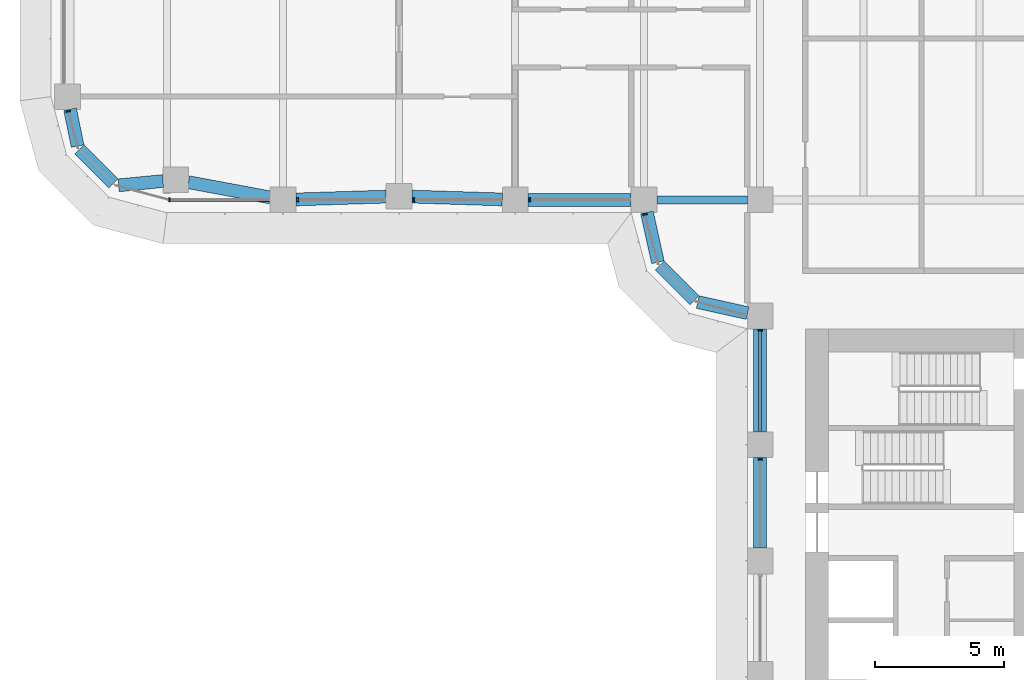
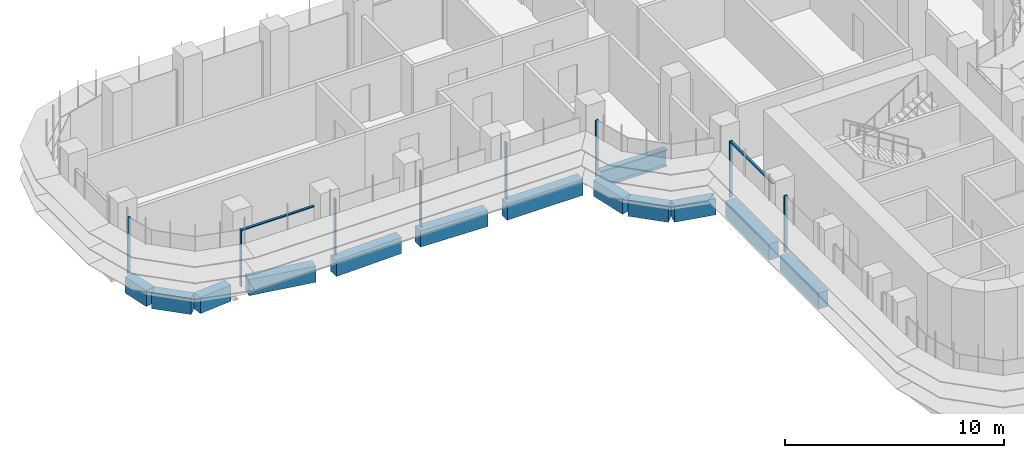
# One storey, part 3 of 23: 13 beams, 10 members, 4 elements without a shape of their own.
"""IFC4 building model written with IfcOpenShell, lengths in metres."""

from ifc_helpers import new_model, si_unit, direction, frame, origin, origin_2d, place, context, subcontext, project, spatial, polyline, rectangle, i_section, outline, extrude, source, transform, mapped, material, material_profile, profile_set, type_object, element, aggregate, save


model = new_model("IFC4")

# Units and contexts
model_context = context("Model", 3, precision=1e-05, world=origin(), true_north=direction((0.0, 1.0)))
body_context = subcontext(model_context, "Body", "Model", "MODEL_VIEW")
ifc_project = project(units=[si_unit("LENGTHUNIT", "METRE"), si_unit("AREAUNIT", "SQUARE_METRE"), si_unit("VOLUMEUNIT", "CUBIC_METRE"), si_unit("PLANEANGLEUNIT", "RADIAN"), si_unit("MASSUNIT", "GRAM", prefix="KILO")], contexts=[model_context])

# Site, building, storey
site_placement = place(None, origin())
site = spatial("IfcSite", under=ifc_project, at=site_placement, CompositionType="ELEMENT")
building_placement = place(site_placement, origin())
building = spatial("IfcBuilding", under=site, at=building_placement, Name="Zarbagh Exchange Tower", CompositionType="ELEMENT")
storey_placement = place(building_placement, frame((0.0, 0.0, 60.60009765625)))
storey = spatial("IfcBuildingStorey", under=building, at=storey_placement, Name="L13", CompositionType="ELEMENT", Elevation=60.60009765625)

# Beams
ifc_material_1 = material(Name="Steel ASTM A992 Gr 50", Category="steel")
ifc_material_profile_1 = material_profile(ifc_material_1, i_section(OverallWidth=0.3046875, OverallDepth=0.91943359375, WebThickness=0.017333984375, FlangeThickness=0.02783203125, at=origin_2d()), Name="W36X170")
ifc_profile_set_1 = profile_set([ifc_material_profile_1], Name="Steel ASTM A992 Gr 50")
beam_type_1 = type_object("IfcBeamType", Name="Floor girder W36X170", PredefinedType="BEAM", material=ifc_profile_set_1)
beam_1_placement = place(storey_placement, frame((-10.25, -6.25, -0.60986328125), z_axis=(1.0, 0.0, 0.0), x_axis=(0.0, 1.0, 0.0)))
element("IfcBeam", 1, at=beam_1_placement, inside=storey, type_object=beam_type_1, Name="Steel girder", PredefinedType="BEAM", context=body_context, shape_type="SweptSolid", body=[
    extrude(i_section(OverallWidth=0.3046875, OverallDepth=0.91943359375, WebThickness=0.017333984375, FlangeThickness=0.02783203125, at=origin_2d()), origin(), (0.0, 0.0, 1.0), 3.5),
])
ifc_material_2 = material(Name="Concrete C60/75", Category="concrete")
ifc_material_profile_2 = material_profile(ifc_material_2, rectangle(XDim=0.5, YDim=0.89990234375, at=origin_2d()), Name="RC spandrel beam 500 x 900 C60/75")
ifc_profile_set_2 = profile_set([ifc_material_profile_2], Name="Concrete C60/75")
beam_type_2 = type_object("IfcBeamType", Name="RC spandrel beam 500 x 900 C60/75", PredefinedType="SPANDREL", material=ifc_profile_set_2)
beam_2_placement = place(storey_placement, frame((-6.25, -19.75, -0.60009765625), z_axis=(0.0, 1.0, 0.0), x_axis=(-1.0, 0.0, 0.0)))
element("IfcBeam", 2, at=beam_2_placement, inside=storey, type_object=beam_type_2, Name="RC spandrel beam", PredefinedType="SPANDREL", context=body_context, shape_type="SweptSolid", body=[
    extrude(rectangle(XDim=0.5, YDim=0.89990234375, at=origin_2d()), origin(), (0.0, 0.0, 1.0), 3.5),
])
beam_3_placement = place(storey_placement, frame((-6.25, -15.25, -0.60009765625), z_axis=(0.0, 1.0, 0.0), x_axis=(-1.0, 0.0, 0.0)))
element("IfcBeam", 3, at=beam_3_placement, inside=storey, type_object=beam_type_2, Name="RC spandrel beam", PredefinedType="SPANDREL", context=body_context, shape_type="SweptSolid", body=[
    extrude(rectangle(XDim=0.5, YDim=0.89990234375, at=origin_2d()), origin(), (0.0, 0.0, 1.0), 4.0),
])
beam_4_placement = place(storey_placement, frame((-6.73828125, -10.64208984375, -0.60009765625), z_axis=(-0.976375426825, 0.216081063242, 0.0), x_axis=(-0.216081063242, -0.976375426825, 0.0)))
element("IfcBeam", 4, at=beam_4_placement, inside=storey, type_object=beam_type_2, Name="RC spandrel beam", PredefinedType="SPANDREL", context=body_context, shape_type="SweptSolid", body=[
    extrude(rectangle(XDim=0.5, YDim=0.89990234375, at=origin_2d()), origin(), (0.0, 0.0, 1.0), 1.978271484375),
])
beam_5_placement = place(storey_placement, frame((-8.792724609375, -10.147216796875, -0.60009765625), z_axis=(-0.707106781187, 0.707106781187, 0.0), x_axis=(-0.707106781187, -0.707106781187, 0.0)))
element("IfcBeam", 5, at=beam_5_placement, inside=storey, type_object=beam_type_2, Name="RC spandrel beam", PredefinedType="SPANDREL", context=body_context, shape_type="SweptSolid", body=[
    extrude(rectangle(XDim=0.5, YDim=0.89990234375, at=origin_2d()), origin(), (0.0, 0.0, 1.0), 1.91552734375),
])
beam_6_placement = place(storey_placement, frame((-10.214599609375, -8.669921875, -0.60009765625), z_axis=(-0.216081063242, 0.976375426825, 0.0), x_axis=(-0.976375426825, -0.216081063242, 0.0)))
element("IfcBeam", 6, at=beam_6_placement, inside=storey, type_object=beam_type_2, Name="RC spandrel beam", PredefinedType="SPANDREL", context=body_context, shape_type="SweptSolid", body=[
    extrude(rectangle(XDim=0.5, YDim=0.89990234375, at=origin_2d()), origin(), (0.0, 0.0, 1.0), 1.978271484375),
])
beam_7_placement = place(storey_placement, frame((-11.25, -6.25, -0.60009765625), z_axis=(-1.0, 0.0, 0.0), x_axis=(0.0, -1.0, 0.0)))
element("IfcBeam", 7, at=beam_7_placement, inside=storey, type_object=beam_type_2, Name="RC spandrel beam", PredefinedType="SPANDREL", context=body_context, shape_type="SweptSolid", body=[
    extrude(rectangle(XDim=0.5, YDim=0.89990234375, at=origin_2d()), origin(), (0.0, 0.0, 1.0), 4.0),
])
for number, where, z_axis, x_axis, name in (
    (8, (-16.249755859375, -6.234619140625, -0.60009765625), (-0.999514385708, 0.031160756759, 0.0), (-0.031160756759, -0.999514385708, 0.0), "RC spandrel beam"),
    (9, (-20.749755859375, -6.12548828125, -0.60009765625), (-0.999514385708, -0.031160756759, 0.0), (0.031160756759, -0.999514385708, 0.0), "RC spandrel beam"),
):
    element("IfcBeam", number, at=place(storey_placement, frame(where, z_axis=z_axis, x_axis=x_axis)), inside=storey, type_object=beam_type_2, Name=name, PredefinedType="SPANDREL", context=body_context, shape_type="SweptSolid", body=[
        extrude(rectangle(XDim=0.5, YDim=0.89990234375, at=origin_2d()), origin(), (0.0, 0.0, 1.0), 3.502197265625),
    ])
beam_8_placement = place(storey_placement, frame((-25.241455078125, -6.158447265625, -0.60009765625), z_axis=(-0.983069300761, 0.183234139565, 0.0), x_axis=(-0.183234139565, -0.983069300761, 0.0)))
element("IfcBeam", 10, at=beam_8_placement, inside=storey, type_object=beam_type_2, Name="RC spandrel beam", PredefinedType="SPANDREL", context=body_context, shape_type="SweptSolid", body=[
    extrude(rectangle(XDim=0.5, YDim=0.89990234375, at=origin_2d()), origin(), (0.0, 0.0, 1.0), 3.229736328125),
])
beam_9_placement = place(storey_placement, frame((-29.40576171875, -5.522705078125, -0.60009765625), z_axis=(-0.995431032456, -0.095483294999, 0.0), x_axis=(0.095483294999, -0.995431032456, 0.0)))
element("IfcBeam", 11, at=beam_9_placement, inside=storey, type_object=beam_type_2, Name="RC spandrel beam", PredefinedType="SPANDREL", context=body_context, shape_type="SweptSolid", body=[
    extrude(rectangle(XDim=0.5, YDim=0.89990234375, at=origin_2d()), origin(), (0.0, 0.0, 1.0), 1.725830078125),
])
beam_10_placement = place(storey_placement, frame((-31.324462890625, -5.615478515625, -0.60009765625), z_axis=(-0.707172099812, 0.707041456527, 0.0), x_axis=(-0.707041456527, -0.707172099812, 0.0)))
element("IfcBeam", 12, at=beam_10_placement, inside=storey, type_object=beam_type_2, Name="RC spandrel beam", PredefinedType="SPANDREL", context=body_context, shape_type="SweptSolid", body=[
    extrude(rectangle(XDim=0.5, YDim=0.89990234375, at=origin_2d()), origin(), (0.0, 0.0, 1.0), 1.86865234375),
])
beam_11_placement = place(storey_placement, frame((-32.714111328125, -4.16796875, -0.60009765625), z_axis=(-0.202068589164, 0.9793713725, 0.0), x_axis=(-0.9793713725, -0.202068589164, 0.0)))
element("IfcBeam", 13, at=beam_11_placement, inside=storey, type_object=beam_type_2, Name="RC spandrel beam", PredefinedType="SPANDREL", context=body_context, shape_type="SweptSolid", body=[
    extrude(rectangle(XDim=0.5, YDim=0.89990234375, at=origin_2d()), origin(), (0.0, 0.0, 1.0), 1.458251953125),
])

# Curtain wall, member
ifc_material_3 = material(Name="Anodised aluminium frame and glazing", Category="aluminium")
curtain_wall_type = type_object("IfcCurtainWallType", Name="CWA Ribbon glazing, lower zones", PredefinedType="NOTDEFINED", material=ifc_material_3)
curtain_wall_1_placement = place(storey_placement, origin())
curtain_wall_1 = element("IfcCurtainWall", 14, at=curtain_wall_1_placement, inside=storey, type_object=curtain_wall_type, Name="CWA37 curtain wall", PredefinedType="NOTDEFINED")
ifc_material_4 = material(Name="Anodised aluminium frame", Category="aluminium")
member_type_1 = type_object("IfcMemberType", Name="MUA Mullion, anodised aluminium frame", PredefinedType="MULLION", material=ifc_material_4)
shared_shape_1 = source(origin(), body_context, "Body", "SweptSolid", [
    extrude(outline(polyline([(0.0, -0.080078125), (0.06005859375, -0.080078125), (0.06005859375, 0.080078125), (0.0, 0.080078125), (0.0, -0.080078125)])), origin(), (0.0, 0.0, 1.0), 3.14990234375),
])
placement = place(storey_placement, origin())
member_1 = element("IfcMember", 15, at=placement, type_object=member_type_1, Name="CWA37 mullion 1.1", PredefinedType="MULLION", context=body_context, shape_type="MappedRepresentation", body=[
    mapped(shared_shape_1, transform((-33.087646484375, -2.7900390625, 0.0), x_axis=(0.258824779902, -0.965924289636, 0.0), y_axis=(0.965924289636, 0.258824779902, 0.0), z_axis=(0.0, 0.0, 1.0))),
])
aggregate(curtain_wall_1, [member_1])

# Curtain wall, members
curtain_wall_2_placement = place(storey_placement, origin())
curtain_wall_2 = element("IfcCurtainWall", 16, at=curtain_wall_2_placement, inside=storey, type_object=curtain_wall_type, Name="CWA40 curtain wall", PredefinedType="NOTDEFINED")
member_2 = element("IfcMember", 17, at=placement, type_object=member_type_1, Name="CWA40 mullion 1.1", PredefinedType="MULLION", context=body_context, shape_type="MappedRepresentation", body=[
    mapped(shared_shape_1, transform((-29.18408203125, -6.25, 0.0), x_axis=(1.0, 0.0, 0.0), y_axis=(0.0, 1.0, 0.0), z_axis=(0.0, 0.0, 1.0))),
])
member_3 = element("IfcMember", 18, at=placement, type_object=member_type_1, Name="CWA40 mullion 2.1", PredefinedType="MULLION", context=body_context, shape_type="MappedRepresentation", body=[
    mapped(shared_shape_1, transform((-24.2099609375, -6.25, 0.0), x_axis=(1.0, 0.0, 0.0), y_axis=(0.0, 1.0, 0.0), z_axis=(0.0, 0.0, 1.0))),
])
member_4 = element("IfcMember", 19, at=placement, type_object=member_type_1, Name="CWA40 mullion 3.1", PredefinedType="MULLION", context=body_context, shape_type="MappedRepresentation", body=[
    mapped(shared_shape_1, transform((-19.7099609375, -6.25, 0.0), x_axis=(1.0, 0.0, 0.0), y_axis=(0.0, 1.0, 0.0), z_axis=(0.0, 0.0, 1.0))),
])
member_5 = element("IfcMember", 20, at=placement, type_object=member_type_1, Name="CWA40 mullion 4.1", PredefinedType="MULLION", context=body_context, shape_type="MappedRepresentation", body=[
    mapped(shared_shape_1, transform((-15.2099609375, -6.25, 0.0), x_axis=(1.0, 0.0, 0.0), y_axis=(0.0, 1.0, 0.0), z_axis=(0.0, 0.0, 1.0))),
])

# Curtain wall, member
curtain_wall_3_placement = place(storey_placement, origin())
curtain_wall_3 = element("IfcCurtainWall", 21, at=curtain_wall_3_placement, inside=storey, type_object=curtain_wall_type, Name="CWA41 curtain wall", PredefinedType="NOTDEFINED")
member_6 = element("IfcMember", 22, at=placement, type_object=member_type_1, Name="CWA41 mullion 1.1", PredefinedType="MULLION", context=body_context, shape_type="MappedRepresentation", body=[
    mapped(shared_shape_1, transform((-10.7216796875, -6.7900390625, 0.0), x_axis=(0.258824779902, -0.965924289636, 0.0), y_axis=(0.965924289636, 0.258824779902, 0.0), z_axis=(0.0, 0.0, 1.0))),
])
aggregate(curtain_wall_3, [member_6])

# Curtain wall, members
curtain_wall_4_placement = place(storey_placement, origin())
curtain_wall_4 = element("IfcCurtainWall", 23, at=curtain_wall_4_placement, inside=storey, type_object=curtain_wall_type, Name="CWA44 curtain wall", PredefinedType="NOTDEFINED")
member_7 = element("IfcMember", 24, at=placement, type_object=member_type_1, Name="CWA44 mullion 1.1", PredefinedType="MULLION", context=body_context, shape_type="MappedRepresentation", body=[
    mapped(shared_shape_1, transform((-6.25, -11.2900390625, 0.0), x_axis=(0.0, -1.0, 0.0), y_axis=(1.0, 0.0, 0.0), z_axis=(0.0, 0.0, 1.0))),
])
member_8 = element("IfcMember", 25, at=placement, type_object=member_type_1, Name="CWA44 mullion 2.1", PredefinedType="MULLION", context=body_context, shape_type="MappedRepresentation", body=[
    mapped(shared_shape_1, transform((-6.25, -16.2900390625, 0.0), x_axis=(0.0, -1.0, 0.0), y_axis=(1.0, 0.0, 0.0), z_axis=(0.0, 0.0, 1.0))),
])
member_type_2 = type_object("IfcMemberType", Name="TRA Transom, anodised aluminium frame", PredefinedType="USERDEFINED", material=ifc_material_4)
shared_shape_2 = source(origin(), body_context, "Body", "SweptSolid", [
    extrude(outline(polyline([(-0.06005859375, -0.06005859375), (0.0, -0.06005859375), (0.0, 0.06005859375), (-0.06005859375, 0.06005859375), (-0.06005859375, -0.06005859375)])), origin(), (0.0, 0.0, 1.0), 3.860107421875),
])
member_9 = element("IfcMember", 26, at=placement, type_object=member_type_2, Name="CWA44 transom 1.1", ObjectType="TRANSOM", PredefinedType="USERDEFINED", context=body_context, shape_type="MappedRepresentation", body=[
    mapped(shared_shape_2, transform((-6.25, -11.35009765625, 3.14990234375), x_axis=(0.0, 0.0, 1.0), y_axis=(-1.0, 0.0, 0.0), z_axis=(0.0, -1.0, 0.0))),
])
aggregate(curtain_wall_4, [member_7, member_9, member_8])

# Member
shared_shape_3 = source(origin(), body_context, "Body", "SweptSolid", [
    extrude(outline(polyline([(-0.06005859375, -0.06005859375), (0.0, -0.06005859375), (0.0, 0.06005859375), (-0.06005859375, 0.06005859375), (-0.06005859375, -0.06005859375)])), origin(), (0.0, 0.0, 1.0), 3.834228515625),
])
member_10 = element("IfcMember", 27, at=placement, type_object=member_type_2, Name="CWA40 transom 1.1", ObjectType="TRANSOM", PredefinedType="USERDEFINED", context=body_context, shape_type="MappedRepresentation", body=[
    mapped(shared_shape_3, transform((-29.124267578125, -6.25, 3.14990234375), x_axis=(0.0, 0.0, 1.0), y_axis=(0.0, -1.0, 0.0), z_axis=(1.0, 0.0, 0.0))),
])

aggregate(curtain_wall_2, [member_2, member_10, member_3, member_4, member_5])

save(model, "model.ifc")
